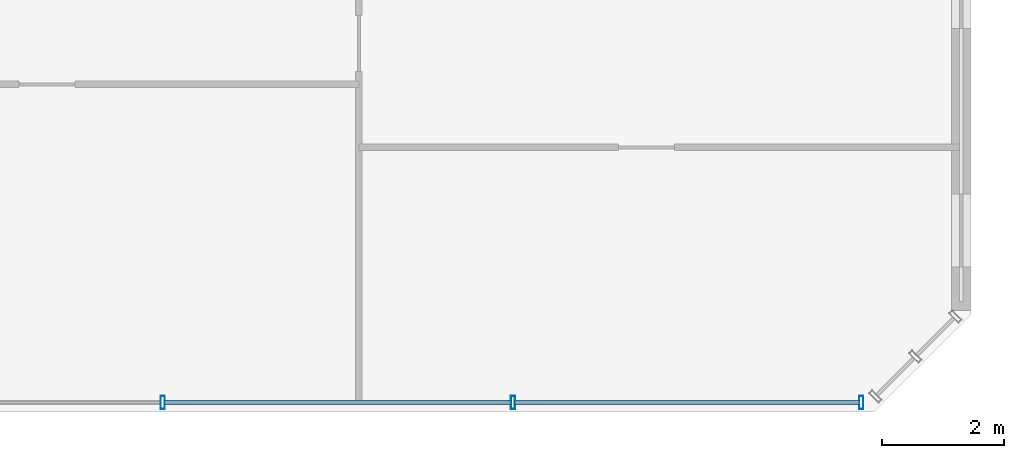
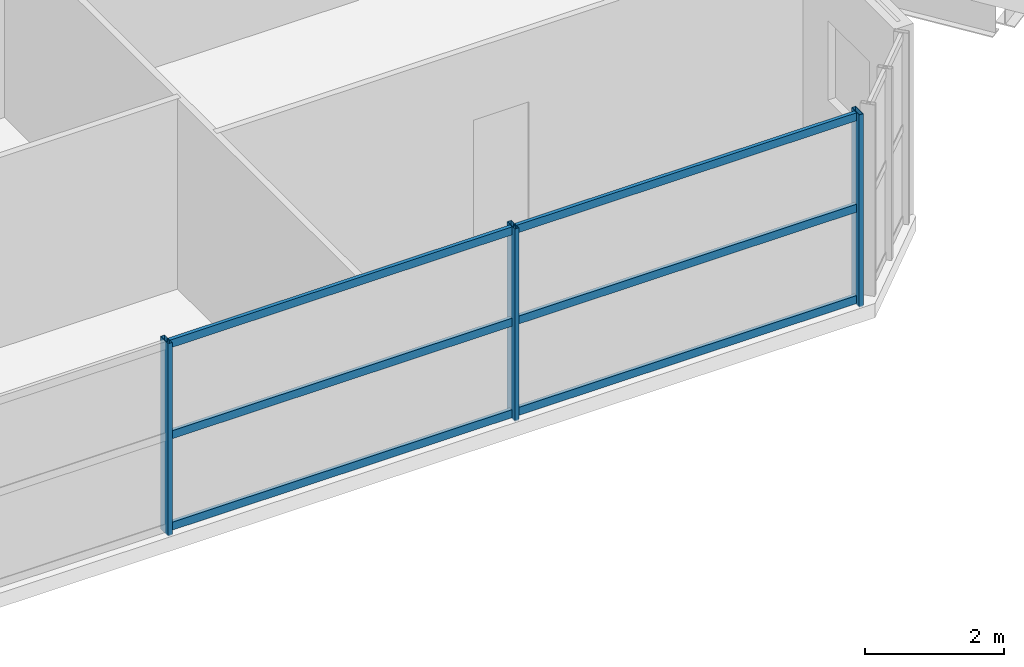
# One storey, part 7 of 28: 9 members, 1 element without a shape of its own.
"""IFC4 building model written with IfcOpenShell, lengths in metres."""

from ifc_helpers import new_model, si_unit, direction, frame, origin, origin_2d, place, context, subcontext, project, spatial, hollow_rectangle, extrude, source, transform, mapped, material, material_profile, profile_set, type_object, element, aggregate, save


model = new_model("IFC4")

# Units and contexts
model_context = context("Model", 3, precision=1e-05, world=origin(), true_north=direction((0.0, 1.0)))
body_context = subcontext(model_context, "Body", "Model", "MODEL_VIEW")
ifc_project = project(units=[si_unit("LENGTHUNIT", "METRE"), si_unit("AREAUNIT", "SQUARE_METRE"), si_unit("VOLUMEUNIT", "CUBIC_METRE"), si_unit("PLANEANGLEUNIT", "RADIAN"), si_unit("MASSUNIT", "GRAM", prefix="KILO")], contexts=[model_context])

# Site, building, storey
site_placement = place(None, origin())
site = spatial("IfcSite", under=ifc_project, at=site_placement, CompositionType="ELEMENT")
building_placement = place(site_placement, origin())
building = spatial("IfcBuilding", under=site, at=building_placement, Name="Tlacorven Tower", CompositionType="ELEMENT")
storey_placement = place(building_placement, frame((0.0, 0.0, 63.60009765625)))
storey = spatial("IfcBuildingStorey", under=building, at=storey_placement, Name="L16", CompositionType="ELEMENT", Elevation=63.60009765625)

# Curtain wall, members
ifc_material_1 = material(Name="Dark solar low-E double glazing in aluminium frame", Category="aluminium")
curtain_wall_type = type_object("IfcCurtainWallType", Name="CW-TWR-LOW", PredefinedType="USERDEFINED", material=ifc_material_1)
curtain_wall_placement = place(storey_placement, origin())
curtain_wall = element("IfcCurtainWall", 1, at=curtain_wall_placement, inside=storey, type_object=curtain_wall_type, Name="L16 CW-TWR-LOW Curtain Wall 88", ObjectType="UNITISED CURTAIN WALL", PredefinedType="USERDEFINED")
ifc_material_2 = material(Name="Aluminium 6063-T6 anodised", Category="aluminium")
ifc_material_profile_1 = material_profile(ifc_material_2, hollow_rectangle(XDim=0.06005859375, YDim=0.139892578125, WallThickness=0.00390625, at=origin_2d()), Name="ALU TRANSOM 60X140")
ifc_profile_set_1 = profile_set([ifc_material_profile_1], Name="Aluminium 6063-T6 anodised")
member_type_1 = type_object("IfcMemberType", Name="CWT-02", PredefinedType="USERDEFINED", material=ifc_profile_set_1)
shared_shape_1 = source(origin(), body_context, "Body", "SweptSolid", [
    extrude(hollow_rectangle(XDim=0.06005859375, YDim=0.139892578125, WallThickness=0.00390625, at=origin_2d()), origin(), (0.0, 0.0, 1.0), 5.6748046875),
])
member_1_placement = place(storey_placement, frame((50.57568359375, 1.9599609375, 0.06982421875), z_axis=(-1.0, 0.0, 0.0), x_axis=(0.0, -1.0, 0.0)))
member_1 = element("IfcMember", 2, at=member_1_placement, type_object=member_type_1, Name="CW-L16-088 Transom 1", ObjectType="TRANSOM", PredefinedType="USERDEFINED", context=body_context, shape_type="MappedRepresentation", body=[
    mapped(shared_shape_1, transform((0.0, 0.0, 0.0), scale=1.0)),
])
member_2_placement = place(storey_placement, frame((50.57568359375, 1.9599609375, 1.6748046875), z_axis=(-1.0, 0.0, 0.0), x_axis=(0.0, -1.0, 0.0)))
member_2 = element("IfcMember", 3, at=member_2_placement, type_object=member_type_1, Name="CW-L16-088 Transom 2", ObjectType="TRANSOM", PredefinedType="USERDEFINED", context=body_context, shape_type="MappedRepresentation", body=[
    mapped(shared_shape_1, transform((0.0, 0.0, 0.0), scale=1.0)),
])
member_3_placement = place(storey_placement, frame((50.57568359375, 1.9599609375, 3.27978515625), z_axis=(-1.0, 0.0, 0.0), x_axis=(0.0, -1.0, 0.0)))
member_3 = element("IfcMember", 4, at=member_3_placement, type_object=member_type_1, Name="CW-L16-088 Transom 3", ObjectType="TRANSOM", PredefinedType="USERDEFINED", context=body_context, shape_type="MappedRepresentation", body=[
    mapped(shared_shape_1, transform((0.0, 0.0, 0.0), scale=1.0)),
])
shared_shape_2 = source(origin(), body_context, "Body", "SweptSolid", [
    extrude(hollow_rectangle(XDim=0.06005859375, YDim=0.139892578125, WallThickness=0.00390625, at=origin_2d()), origin(), (0.0, 0.0, 1.0), 5.7099609375),
])
member_4_placement = place(storey_placement, frame((44.85498046875, 1.9599609375, 0.06982421875), z_axis=(-1.0, 0.0, 0.0), x_axis=(0.0, -1.0, 0.0)))
member_4 = element("IfcMember", 5, at=member_4_placement, type_object=member_type_1, Name="CW-L16-088 Transom 4", ObjectType="TRANSOM", PredefinedType="USERDEFINED", context=body_context, shape_type="MappedRepresentation", body=[
    mapped(shared_shape_2, transform((0.0, 0.0, 0.0), scale=1.0)),
])
member_5_placement = place(storey_placement, frame((44.85498046875, 1.9599609375, 1.6748046875), z_axis=(-1.0, 0.0, 0.0), x_axis=(0.0, -1.0, 0.0)))
member_5 = element("IfcMember", 6, at=member_5_placement, type_object=member_type_1, Name="CW-L16-088 Transom 5", ObjectType="TRANSOM", PredefinedType="USERDEFINED", context=body_context, shape_type="MappedRepresentation", body=[
    mapped(shared_shape_2, transform((0.0, 0.0, 0.0), scale=1.0)),
])
member_6_placement = place(storey_placement, frame((44.85498046875, 1.9599609375, 3.27978515625), z_axis=(-1.0, 0.0, 0.0), x_axis=(0.0, -1.0, 0.0)))
member_6 = element("IfcMember", 7, at=member_6_placement, type_object=member_type_1, Name="CW-L16-088 Transom 6", ObjectType="TRANSOM", PredefinedType="USERDEFINED", context=body_context, shape_type="MappedRepresentation", body=[
    mapped(shared_shape_2, transform((0.0, 0.0, 0.0), scale=1.0)),
])
ifc_material_profile_2 = material_profile(ifc_material_2, hollow_rectangle(XDim=0.070068359375, YDim=0.219970703125, WallThickness=0.0048828125, at=origin_2d()), Name="ALU MULLION 70X220")
ifc_profile_set_2 = profile_set([ifc_material_profile_2], Name="Aluminium 6063-T6 anodised")
member_type_2 = type_object("IfcMemberType", Name="CWM-01", PredefinedType="MULLION", material=ifc_profile_set_2)
shared_shape_3 = source(origin(), body_context, "Body", "SweptSolid", [
    extrude(hollow_rectangle(XDim=0.070068359375, YDim=0.219970703125, WallThickness=0.0048828125, at=origin_2d()), origin(), (0.0, 0.0, 1.0), 3.3798828125),
])
member_7_placement = place(storey_placement, frame((50.5986328125, 1.9599609375, -0.02001953125), z_axis=(0.0, 0.0, 1.0), x_axis=(-1.0, 0.0, 0.0)))
member_7 = element("IfcMember", 8, at=member_7_placement, type_object=member_type_2, Name="CW-L16-088 Mullion 1", PredefinedType="MULLION", context=body_context, shape_type="MappedRepresentation", body=[
    mapped(shared_shape_3, transform((0.0, 0.0, 0.0), scale=1.0)),
])
member_8_placement = place(storey_placement, frame((44.8779296875, 1.9599609375, -0.02001953125), z_axis=(0.0, 0.0, 1.0), x_axis=(-1.0, 0.0, 0.0)))
member_8 = element("IfcMember", 9, at=member_8_placement, type_object=member_type_2, Name="CW-L16-088 Mullion 2", PredefinedType="MULLION", context=body_context, shape_type="MappedRepresentation", body=[
    mapped(shared_shape_3, transform((0.0, 0.0, 0.0), scale=1.0)),
])
member_9_placement = place(storey_placement, frame((39.1220703125, 1.9599609375, -0.02001953125), z_axis=(0.0, 0.0, 1.0), x_axis=(-1.0, 0.0, 0.0)))
member_9 = element("IfcMember", 10, at=member_9_placement, type_object=member_type_2, Name="CW-L16-088 Mullion 3", PredefinedType="MULLION", context=body_context, shape_type="MappedRepresentation", body=[
    mapped(shared_shape_3, transform((0.0, 0.0, 0.0), scale=1.0)),
])
aggregate(curtain_wall, [member_7, member_8, member_9, member_1, member_2, member_3, member_4, member_5, member_6])

save(model, "model.ifc")
